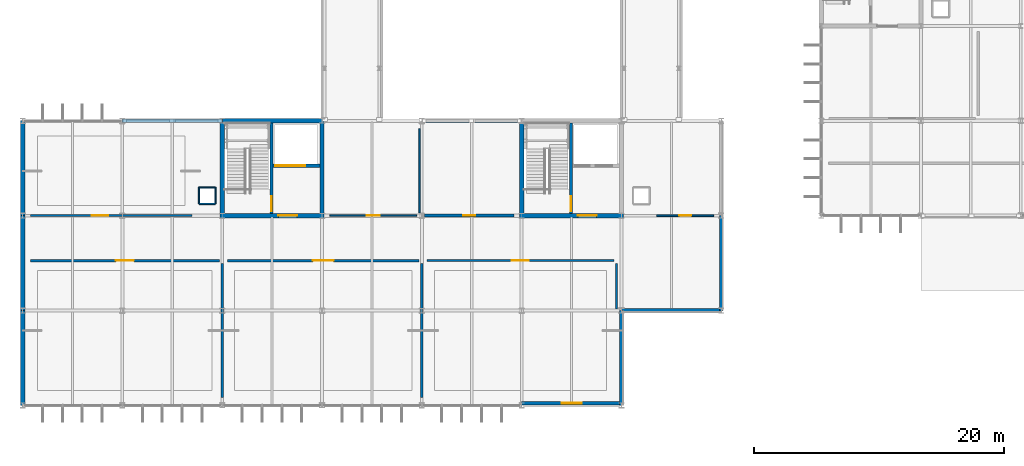
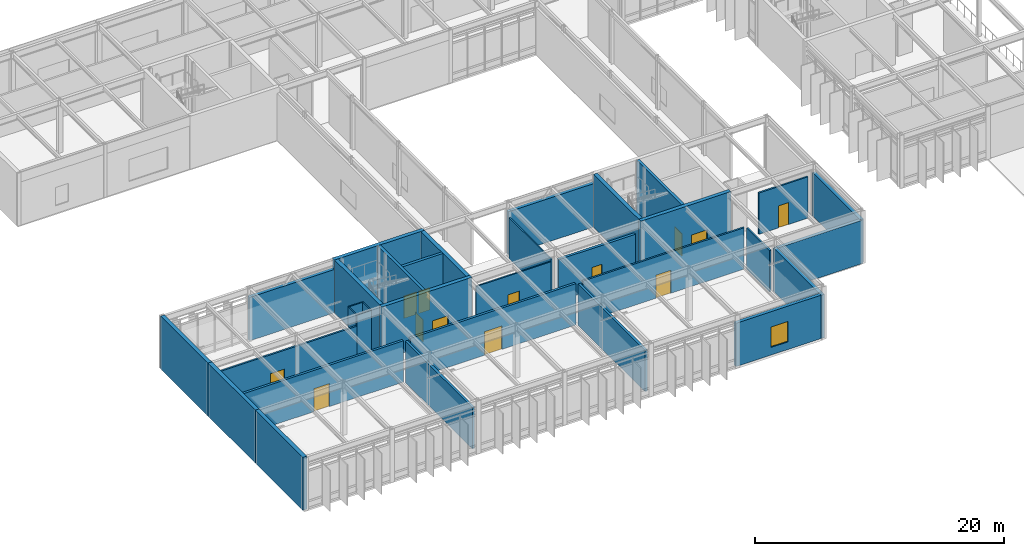
# One storey, part 70 of 94: 33 walls, 13 doors, 1 window, 14 openings.
"""IFC4 building model written with IfcOpenShell, lengths in metres."""

import ifcopenshell
import ifcopenshell.guid

model = None  # the IFC model being written
_history = None  # IfcOwnerHistory: only IFC2X3 demands one
_inside = {}  # id of a spatial element -> (the spatial element, [elements in it])
_under = {}  # id of a project, library or spatial element -> (it, [spatial elements below it])
_declared = {}  # id of a project -> (the project, [libraries it declares])
_typed = {}  # id of a type object -> (the type object, [elements of that type])
_made_of = {}  # id of a material, layer set ... -> (it, [elements and type objects made of it])


def new_model(schema):
    """Start an empty IFC model of exactly this schema.

    Asked for "IFC4X3", IfcOpenShell would pick the latest addendum, in which some entities
    have other attributes; the version numbers below select the first issue.
    IFC2X3 requires an IfcOwnerHistory on every rooted entity: one is made here for all.
    """
    global model, _history
    if schema == "IFC4X3":
        model = ifcopenshell.file(schema_version=(4, 3, 0, 0))
    else:
        model = ifcopenshell.file(schema=schema)
    _inside.clear()
    _under.clear()
    _declared.clear()
    _typed.clear()
    _made_of.clear()
    _history = None
    if model.schema == "IFC2X3":
        org = make("IfcOrganization", Name="unknown")
        user = make(
            "IfcPersonAndOrganization",
            ThePerson=make("IfcPerson", FamilyName="unknown"),
            TheOrganization=org,
        )
        app = make(
            "IfcApplication",
            ApplicationDeveloper=org,
            Version="unknown",
            ApplicationFullName="unknown",
            ApplicationIdentifier="unknown",
        )
        _history = make(
            "IfcOwnerHistory",
            OwningUser=user,
            OwningApplication=app,
            ChangeAction="ADDED",
            CreationDate=0,
        )
    return model


def make(cls, **values):
    """One entity of the class cls with the attributes given. An attribute that is None is left unset."""
    return model.create_entity(
        cls, **{name: value for name, value in values.items() if value is not None}
    )


def rooted(cls, **values):
    """An entity with a GlobalId (a new one), such as an element, a storey or a relation."""
    return make(cls, GlobalId=ifcopenshell.guid.new(), OwnerHistory=_history, **values)


def si_unit(unit_type, name, prefix=None):
    """IfcSIUnit, for example si_unit("LENGTHUNIT", "METRE", prefix="MILLI")."""
    return make("IfcSIUnit", UnitType=unit_type, Prefix=prefix, Name=name)


def assignment(units):
    """IfcUnitAssignment: the units of a project."""
    return None if units is None else make("IfcUnitAssignment", Units=units)


def point(xyz):
    """IfcCartesianPoint."""
    return None if xyz is None else make("IfcCartesianPoint", Coordinates=xyz)


def direction(xyz):
    """IfcDirection."""
    return None if xyz is None else make("IfcDirection", DirectionRatios=xyz)


def frame(location, z_axis=None, x_axis=None):
    """IfcAxis2Placement3D, a coordinate frame: its origin and axes. An axis left out is left unset."""
    return make(
        "IfcAxis2Placement3D",
        Location=point(location),
        Axis=direction(z_axis),
        RefDirection=direction(x_axis),
    )


def frame_2d(location, x_axis=None):
    """IfcAxis2Placement2D, a coordinate frame in the plane: its origin and x axis."""
    return make(
        "IfcAxis2Placement2D", Location=point(location), RefDirection=direction(x_axis)
    )


def origin():
    """The frame at (0, 0, 0) with its axes left unset."""
    return frame((0.0, 0.0, 0.0))


def place(relative_to, where):
    """IfcLocalPlacement: puts the frame where relative to a parent placement (None: the world)."""
    return make(
        "IfcLocalPlacement", PlacementRelTo=relative_to, RelativePlacement=where
    )


def context(
    kind, dimensions, precision=None, world=None, true_north=None, identifier=None
):
    """IfcGeometricRepresentationContext, for example the 3D "Model" context."""
    return make(
        "IfcGeometricRepresentationContext",
        ContextIdentifier=identifier,
        ContextType=kind,
        CoordinateSpaceDimension=dimensions,
        Precision=precision,
        WorldCoordinateSystem=world,
        TrueNorth=true_north,
    )


def subcontext(parent, identifier, kind, view, scale=None):
    """IfcGeometricRepresentationSubContext, for example "Body" below "Model"."""
    return make(
        "IfcGeometricRepresentationSubContext",
        ContextIdentifier=identifier,
        ContextType=kind,
        ParentContext=parent,
        TargetScale=scale,
        TargetView=view,
    )


def project(units=None, contexts=None):
    """IfcProject with its units and contexts."""
    return rooted(
        "IfcProject",
        Name="project",
        RepresentationContexts=contexts,
        UnitsInContext=assignment(units),
    )


def spatial(cls, under=None, at=None, **own):
    """A site, building, storey or space (cls), placed at a placement, below another one or the project."""
    s = rooted(cls, ObjectPlacement=at, **own)
    if under is not None:
        _under.setdefault(under.id(), (under, []))[1].append(s)
    return s


def profile(cls, at=None, kind="AREA", **sizes):
    """A parametric profile (cls). Its sizes go by their IFC names, for example OverallWidth=200.0."""
    return make(cls, ProfileType=kind, Position=at, **sizes)


def rectangle(**sizes):
    """IfcRectangleProfileDef."""
    return profile("IfcRectangleProfileDef", **sizes)


def extrude(swept, where, along, depth):
    """IfcExtrudedAreaSolid: the profile swept, set in the frame where, extruded along a direction by depth."""
    return make(
        "IfcExtrudedAreaSolid",
        SweptArea=swept,
        Position=where,
        ExtrudedDirection=direction(along),
        Depth=depth,
    )


def shape(context_of_items, identifier, shape_type, items):
    """IfcShapeRepresentation: the items that make up one representation, for example the "Body"."""
    return make(
        "IfcShapeRepresentation",
        ContextOfItems=context_of_items,
        RepresentationIdentifier=identifier,
        RepresentationType=shape_type,
        Items=items,
    )


def material(Name=None, Category=None):
    """IfcMaterial."""
    return make("IfcMaterial", Name=Name, Category=Category)


def layer(
    of_material, thickness, ventilated=None, Name=None, Category=None, Priority=None
):
    """IfcMaterialLayer: one layer of a wall or slab, of a material (None: an air gap)."""
    return make(
        "IfcMaterialLayer",
        Material=of_material,
        LayerThickness=thickness,
        IsVentilated=ventilated,
        Name=Name,
        Category=Category,
        Priority=Priority,
    )


def layer_set(layers, Name=None):
    """IfcMaterialLayerSet."""
    return make("IfcMaterialLayerSet", MaterialLayers=layers, LayerSetName=Name)


def made_of(thing, what):
    """Note that an element or type object is made of a material, layer set ...; save() writes the relation."""
    if what is not None:
        _made_of.setdefault(what.id(), (what, []))[1].append(thing)
    return thing


def type_object(cls, material=None, **own):
    """A type object (cls), such as IfcWallType, which elements share."""
    return made_of(rooted(cls, **own), material)


def element(
    cls,
    number,
    at=None,
    inside=None,
    cuts=None,
    type_object=None,
    material=None,
    context=None,
    identifier="Body",
    shape_type=None,
    held_by="IfcProductDefinitionShape",
    body=None,
    shapes=None,
    **own,
):
    """One element of the class cls, such as IfcWall. Its Tag is "e" and its number.

    at: its placement. inside: the storey or other place that contains it. cuts: it is an
    opening in that element (IfcRelVoidsElement). A single representation is given by context,
    identifier, shape_type and body (its items); several are given by shapes. held_by: the class
    of the entity that holds the representations. save() writes the other relations.
    """
    e = rooted(cls, Tag="e%d" % number, ObjectPlacement=at, **own)
    if body is not None:
        shapes = [shape(context, identifier, shape_type, body)]
    if shapes is not None:
        e.Representation = make(held_by, Representations=shapes)
    if inside is not None:
        _inside.setdefault(inside.id(), (inside, []))[1].append(e)
    if cuts is not None:
        rooted(
            "IfcRelVoidsElement", RelatingBuildingElement=cuts, RelatedOpeningElement=e
        )
    if type_object is not None:
        _typed.setdefault(type_object.id(), (type_object, []))[1].append(e)
    return made_of(e, material)


def fill(opening, filler):
    """IfcRelFillsElement: the door or window that sits in an opening."""
    return rooted(
        "IfcRelFillsElement",
        RelatingOpeningElement=opening,
        RelatedBuildingElement=filler,
    )


def aggregate(whole, parts):
    """IfcRelAggregates: a whole, such as a stair, and the parts it consists of."""
    return rooted("IfcRelAggregates", RelatingObject=whole, RelatedObjects=parts)


def save(model, path):
    """Write the relations noted so far, then the file.

    IfcRelAggregates (storeys below a building ...), IfcRelContainedInSpatialStructure (elements
    in a storey), IfcRelDefinesByType, IfcRelAssociatesMaterial and IfcRelDeclares: one each for
    every whole, place, type object, material and project.
    """
    for whole, parts in _under.values():
        aggregate(whole, parts)
    for where, things in _inside.values():
        rooted(
            "IfcRelContainedInSpatialStructure",
            RelatedElements=things,
            RelatingStructure=where,
        )
    for kind, things in _typed.values():
        rooted("IfcRelDefinesByType", RelatedObjects=things, RelatingType=kind)
    for what, things in _made_of.values():
        rooted("IfcRelAssociatesMaterial", RelatedObjects=things, RelatingMaterial=what)
    for by, libraries in _declared.values():
        rooted("IfcRelDeclares", RelatingContext=by, RelatedDefinitions=libraries)
    model.write(path)


model = new_model("IFC4")

# Units and contexts
model_context = context("Model", 3, precision=1e-05, world=origin(), true_north=direction((0.0, 1.0)))
body_context = subcontext(model_context, "Body", "Model", "MODEL_VIEW")
ifc_project = project(units=[si_unit("LENGTHUNIT", "METRE"), si_unit("AREAUNIT", "SQUARE_METRE"), si_unit("VOLUMEUNIT", "CUBIC_METRE"), si_unit("PLANEANGLEUNIT", "RADIAN"), si_unit("MASSUNIT", "GRAM", prefix="KILO")], contexts=[model_context])

# Site, building, storey
site_placement = place(None, origin())
site = spatial("IfcSite", under=ifc_project, at=site_placement, CompositionType="ELEMENT")
building_placement = place(site_placement, origin())
building = spatial("IfcBuilding", under=site, at=building_placement, Name="Zulena Civic Courthouse", CompositionType="ELEMENT")
storey_placement = place(building_placement, frame((0.0, 0.0, 5.39990234375)))
storey = spatial("IfcBuildingStorey", under=building, at=storey_placement, Name="L01", CompositionType="ELEMENT", Elevation=5.39990234375)

# Wall, opening, door
ifc_material_1 = material(Name="Concrete C40/50", Category="concrete")
ifc_layer_1 = layer(ifc_material_1, 0.25)
ifc_layer_set_1 = layer_set([ifc_layer_1], Name="Concrete C40/50")
wall_type_1 = type_object("IfcWallType", Name="CoreShearWall_RC250", PredefinedType="SHEAR", material=ifc_layer_set_1)
wall_1_placement = place(storey_placement, frame((23.949951171875, 15.375, 0.0), z_axis=(0.0, 0.0, 1.0), x_axis=(0.0, 1.0, 0.0)))
wall_1 = element("IfcWall", 1, at=wall_1_placement, inside=storey, type_object=wall_type_1, Name="cwall:K2A:L01:DIV", PredefinedType="SHEAR", context=body_context, shape_type="SweptSolid", body=[
    extrude(rectangle(XDim=7.25, YDim=0.25, at=frame_2d((3.625, 0.0))), origin(), (0.0, 0.0, 1.0), 5.190185546875),
])
opening_1_placement = place(wall_1_placement, frame((0.179931640625, 0.0, 0.0)))
opening_1 = element("IfcOpeningElement", 2, at=opening_1_placement, cuts=wall_1, Name="Opening ID07", PredefinedType="OPENING", context=body_context, shape_type="SweptSolid", body=[
    extrude(rectangle(XDim=1.199951171875, YDim=2.199951171875, at=frame_2d((0.60009765625, 1.10009765625))), frame((0.0, 0.135009765625, 0.0), z_axis=(0.0, -1.0, 0.0), x_axis=(1.0, 0.0, 0.0)), (0.0, 0.0, 1.0), 0.27001953125),
])
ifc_material_2 = material(Name="Fire-rated galvanised steel ASTM A653 Grade 50", Category="steel")
door_type_1 = type_object("IfcDoorType", Name="IntDoor_Stair_1200x2200", OperationType="NOTDEFINED", PredefinedType="DOOR", material=ifc_material_2)
door_1_placement = place(opening_1_placement, origin())
door_1 = element("IfcDoor", 3, at=door_1_placement, inside=storey, type_object=door_type_1, Name="door:stair:K2A:L01", OperationType="SINGLE_SWING_RIGHT", OverallHeight=2.199951171875, OverallWidth=1.199951171875, PredefinedType="DOOR", context=body_context, shape_type="SweptSolid", body=[
    extrude(rectangle(XDim=1.199951171875, YDim=2.199951171875, at=frame_2d((0.60009765625, 1.10009765625))), frame((0.0, 0.02490234375, 0.0), z_axis=(0.0, -1.0, 0.0), x_axis=(1.0, 0.0, 0.0)), (0.0, 0.0, 1.0), 0.050048828125),
])
fill(opening_1, door_1)

# Wall, openings, doors
wall_2_placement = place(storey_placement, frame((24.074951171875, 19.199951171875, 0.0), z_axis=(0.0, 0.0, 1.0), x_axis=(1.0, 0.0, 0.0)))
wall_2 = element("IfcWall", 4, at=wall_2_placement, inside=storey, type_object=wall_type_1, Name="cwall:K2A:L01:SHF", PredefinedType="SHEAR", context=body_context, shape_type="SweptSolid", body=[
    extrude(rectangle(XDim=3.75, YDim=0.25, at=frame_2d((1.875, 0.0))), origin(), (0.0, 0.0, 1.0), 5.190185546875),
])
opening_2_placement = place(wall_2_placement, frame((0.179931640625, 0.0, 0.0)))
opening_2 = element("IfcOpeningElement", 5, at=opening_2_placement, cuts=wall_2, Name="Opening LD01", PredefinedType="OPENING", context=body_context, shape_type="SweptSolid", body=[
    extrude(rectangle(XDim=1.199951171875, YDim=2.199951171875, at=frame_2d((0.60009765625, 1.10009765625))), frame((0.0, 0.135009765625, 0.0), z_axis=(0.0, -1.0, 0.0), x_axis=(1.0, 0.0, 0.0)), (0.0, 0.0, 1.0), 0.27001953125),
])
opening_3_placement = place(wall_2_placement, frame((1.550048828125, 0.0, 0.0)))
opening_3 = element("IfcOpeningElement", 6, at=opening_3_placement, cuts=wall_2, Name="Opening LD03", PredefinedType="OPENING", context=body_context, shape_type="SweptSolid", body=[
    extrude(rectangle(XDim=1.050048828125, YDim=2.199951171875, at=frame_2d((0.52490234375, 1.10009765625))), frame((0.0, 0.135009765625, 0.0), z_axis=(0.0, -1.0, 0.0), x_axis=(1.0, 0.0, 0.0)), (0.0, 0.0, 1.0), 0.27001953125),
])
door_type_2 = type_object("IfcDoorType", Name="LiftLandingDoor_FF_1200x2200", OperationType="SLIDING_TO_LEFT", PredefinedType="DOOR", material=ifc_material_2)
door_2_placement = place(opening_2_placement, origin())
door_2 = element("IfcDoor", 7, at=door_2_placement, inside=storey, type_object=door_type_2, Name="door:ld:FL-01:L01", OperationType="SLIDING_TO_LEFT", OverallHeight=2.199951171875, OverallWidth=1.199951171875, PredefinedType="DOOR", context=body_context, shape_type="SweptSolid", body=[
    extrude(rectangle(XDim=1.199951171875, YDim=2.199951171875, at=frame_2d((0.60009765625, 1.10009765625))), frame((0.0, 0.02490234375, 0.0), z_axis=(0.0, -1.0, 0.0), x_axis=(1.0, 0.0, 0.0)), (0.0, 0.0, 1.0), 0.050048828125),
])
fill(opening_2, door_2)
door_type_3 = type_object("IfcDoorType", Name="LiftLandingDoor_Jud_1050x2200", OperationType="SLIDING_TO_RIGHT", PredefinedType="DOOR", material=ifc_material_2)
door_3_placement = place(opening_3_placement, origin())
door_3 = element("IfcDoor", 8, at=door_3_placement, inside=storey, type_object=door_type_3, Name="door:ld:JL-01:L01", OperationType="SLIDING_TO_RIGHT", OverallHeight=2.199951171875, OverallWidth=1.050048828125, PredefinedType="DOOR", context=body_context, shape_type="SweptSolid", body=[
    extrude(rectangle(XDim=1.050048828125, YDim=2.199951171875, at=frame_2d((0.52490234375, 1.10009765625))), frame((0.0, 0.02490234375, 0.0), z_axis=(0.0, -1.0, 0.0), x_axis=(1.0, 0.0, 0.0)), (0.0, 0.0, 1.0), 0.050048828125),
])
fill(opening_3, door_3)

# Wall, opening, door
wall_3_placement = place(storey_placement, frame((47.949951171875, 15.375, 0.0), z_axis=(0.0, 0.0, 1.0), x_axis=(0.0, 1.0, 0.0)))
wall_3 = element("IfcWall", 9, at=wall_3_placement, inside=storey, type_object=wall_type_1, Name="cwall:K2B:L01:DIV", PredefinedType="SHEAR", context=body_context, shape_type="SweptSolid", body=[
    extrude(rectangle(XDim=7.25, YDim=0.25, at=frame_2d((3.625, 0.0))), origin(), (0.0, 0.0, 1.0), 5.190185546875),
])
opening_4_placement = place(wall_3_placement, frame((0.179931640625, 0.0, 0.0)))
opening_4 = element("IfcOpeningElement", 10, at=opening_4_placement, cuts=wall_3, Name="Opening ID07", PredefinedType="OPENING", context=body_context, shape_type="SweptSolid", body=[
    extrude(rectangle(XDim=1.199951171875, YDim=2.199951171875, at=frame_2d((0.60009765625, 1.10009765625))), frame((0.0, 0.135009765625, 0.0), z_axis=(0.0, -1.0, 0.0), x_axis=(1.0, 0.0, 0.0)), (0.0, 0.0, 1.0), 0.27001953125),
])
door_4_placement = place(opening_4_placement, origin())
door_4 = element("IfcDoor", 11, at=door_4_placement, inside=storey, type_object=door_type_1, Name="door:stair:K2B:L01", OperationType="SINGLE_SWING_RIGHT", OverallHeight=2.199951171875, OverallWidth=1.199951171875, PredefinedType="DOOR", context=body_context, shape_type="SweptSolid", body=[
    extrude(rectangle(XDim=1.199951171875, YDim=2.199951171875, at=frame_2d((0.60009765625, 1.10009765625))), frame((0.0, 0.02490234375, 0.0), z_axis=(0.0, -1.0, 0.0), x_axis=(1.0, 0.0, 0.0)), (0.0, 0.0, 1.0), 0.050048828125),
])
fill(opening_4, door_4)

ifc_layer_2 = layer(ifc_material_1, 0.35009765625)
ifc_layer_set_2 = layer_set([ifc_layer_2], Name="Concrete C40/50")
wall_type_2 = type_object("IfcWallType", Name="CoreShearWall_RC350", PredefinedType="SHEAR", material=ifc_layer_set_2)
wall_4_placement = place(storey_placement, frame((19.824951171875, 15.199951171875, 0.0), z_axis=(0.0, 0.0, 1.0), x_axis=(1.0, 0.0, 0.0)))
wall_4 = element("IfcWall", 12, at=wall_4_placement, inside=storey, type_object=wall_type_2, Name="cwall:K2A:L01:S", PredefinedType="SHEAR", context=body_context, shape_type="SweptSolid", body=[
    extrude(rectangle(XDim=8.35009765625, YDim=0.35009765625, at=frame_2d((4.175048828125, 0.0))), origin(), (0.0, 0.0, 1.0), 5.190185546875),
])
opening_5_placement = place(wall_4_placement, frame((4.68505859375, 0.0, 0.0)))
opening_5 = element("IfcOpeningElement", 13, at=opening_5_placement, cuts=wall_4, Name="Opening ID05", PredefinedType="OPENING", context=body_context, shape_type="SweptSolid", body=[
    extrude(rectangle(XDim=1.5, YDim=2.199951171875, at=frame_2d((0.75, 1.10009765625))), frame((0.0, 0.18505859375, 0.0), z_axis=(0.0, -1.0, 0.0), x_axis=(1.0, 0.0, 0.0)), (0.0, 0.0, 1.0), 0.3701171875),
])
door_type_4 = type_object("IfcDoorType", Name="IntDoor_FFLobby_1500x2200", OperationType="DOUBLE_DOOR_SINGLE_SWING", PredefinedType="DOOR", material=ifc_material_2)
door_5_placement = place(opening_5_placement, origin())
door_5 = element("IfcDoor", 14, at=door_5_placement, inside=storey, type_object=door_type_4, Name="door:corelob:K2A:L01", OperationType="DOUBLE_DOOR_SINGLE_SWING", OverallHeight=2.199951171875, OverallWidth=1.5, PredefinedType="DOOR", context=body_context, shape_type="SweptSolid", body=[
    extrude(rectangle(XDim=1.5, YDim=2.199951171875, at=frame_2d((0.75, 1.10009765625))), frame((0.0, 0.02490234375, 0.0), z_axis=(0.0, -1.0, 0.0), x_axis=(1.0, 0.0, 0.0)), (0.0, 0.0, 1.0), 0.050048828125),
])
fill(opening_5, door_5)

# Walls
wall_5_placement = place(storey_placement, frame((19.824951171875, 22.800048828125, 0.0), z_axis=(0.0, 0.0, 1.0), x_axis=(1.0, 0.0, 0.0)))
element("IfcWall", 15, at=wall_5_placement, inside=storey, type_object=wall_type_2, Name="cwall:K2A:L01:N", PredefinedType="SHEAR", context=body_context, shape_type="SweptSolid", body=[
    extrude(rectangle(XDim=8.35009765625, YDim=0.35009765625, at=frame_2d((4.175048828125, 0.0))), origin(), (0.0, 0.0, 1.0), 5.190185546875),
])
for number, where, z_axis, x_axis, name in (
    (16, (20.0, 15.375, 0.0), (0.0, 0.0, 1.0), (0.0, 1.0, 0.0), "cwall:K2A:L01:W"),
    (17, (28.0, 15.375, 0.0), (0.0, 0.0, 1.0), (0.0, 1.0, 0.0), "cwall:K2A:L01:E"),
):
    element("IfcWall", number, at=place(storey_placement, frame(where, z_axis=z_axis, x_axis=x_axis)), inside=storey, type_object=wall_type_2, Name=name, PredefinedType="SHEAR", context=body_context, shape_type="SweptSolid", body=[
        extrude(rectangle(XDim=7.25, YDim=0.35009765625, at=frame_2d((3.625, 0.0))), origin(), (0.0, 0.0, 1.0), 5.190185546875),
    ])

# Wall, opening, door
wall_6_placement = place(storey_placement, frame((43.824951171875, 15.199951171875, 0.0), z_axis=(0.0, 0.0, 1.0), x_axis=(1.0, 0.0, 0.0)))
wall_6 = element("IfcWall", 18, at=wall_6_placement, inside=storey, type_object=wall_type_2, Name="cwall:K2B:L01:S", PredefinedType="SHEAR", context=body_context, shape_type="SweptSolid", body=[
    extrude(rectangle(XDim=8.35009765625, YDim=0.35009765625, at=frame_2d((4.175048828125, 0.0))), origin(), (0.0, 0.0, 1.0), 5.190185546875),
])
opening_6_placement = place(wall_6_placement, frame((4.68505859375, 0.0, 0.0)))
opening_6 = element("IfcOpeningElement", 19, at=opening_6_placement, cuts=wall_6, Name="Opening ID05", PredefinedType="OPENING", context=body_context, shape_type="SweptSolid", body=[
    extrude(rectangle(XDim=1.5, YDim=2.199951171875, at=frame_2d((0.75, 1.10009765625))), frame((0.0, 0.18505859375, 0.0), z_axis=(0.0, -1.0, 0.0), x_axis=(1.0, 0.0, 0.0)), (0.0, 0.0, 1.0), 0.3701171875),
])
door_6_placement = place(opening_6_placement, origin())
door_6 = element("IfcDoor", 20, at=door_6_placement, inside=storey, type_object=door_type_4, Name="door:corelob:K2B:L01", OperationType="DOUBLE_DOOR_SINGLE_SWING", OverallHeight=2.199951171875, OverallWidth=1.5, PredefinedType="DOOR", context=body_context, shape_type="SweptSolid", body=[
    extrude(rectangle(XDim=1.5, YDim=2.199951171875, at=frame_2d((0.75, 1.10009765625))), frame((0.0, 0.02490234375, 0.0), z_axis=(0.0, -1.0, 0.0), x_axis=(1.0, 0.0, 0.0)), (0.0, 0.0, 1.0), 0.050048828125),
])
fill(opening_6, door_6)

# Walls
wall_7_placement = place(storey_placement, frame((44.0, 15.375, 0.0), z_axis=(0.0, 0.0, 1.0), x_axis=(0.0, 1.0, 0.0)))
element("IfcWall", 21, at=wall_7_placement, inside=storey, type_object=wall_type_2, Name="cwall:K2B:L01:W", PredefinedType="SHEAR", context=body_context, shape_type="SweptSolid", body=[
    extrude(rectangle(XDim=7.25, YDim=0.35009765625, at=frame_2d((3.625, 0.0))), origin(), (0.0, 0.0, 1.0), 5.190185546875),
])
ifc_layer_3 = layer(ifc_material_1, 0.360107421875)
ifc_layer_set_3 = layer_set([ifc_layer_3], Name="Concrete C40/50")
wall_type_3 = type_object("IfcWallType", Name="ExtWall_PartyWall_360", PredefinedType="STANDARD", material=ifc_layer_set_3)
wall_8_placement = place(storey_placement, frame((4.0, -0.02001953125, 0.0), z_axis=(0.0, 0.0, 1.0), x_axis=(0.0, 1.0, 0.0)))
element("IfcWall", 22, at=wall_8_placement, inside=storey, type_object=wall_type_3, Name="ewall:V2:L01:0:0", PredefinedType="STANDARD", context=body_context, shape_type="SweptSolid", body=[
    extrude(rectangle(XDim=7.64013671875, YDim=0.360107421875, at=frame_2d((3.820068359375, 0.0))), origin(), (0.0, 0.0, 1.0), 5.190185546875),
])
wall_9_placement = place(storey_placement, frame((4.0, 7.580078125, 0.0), z_axis=(0.0, 0.0, 1.0), x_axis=(0.0, 1.0, 0.0)))
element("IfcWall", 23, at=wall_9_placement, inside=storey, type_object=wall_type_3, Name="ewall:V2:L01:0:1", PredefinedType="STANDARD", context=body_context, shape_type="SweptSolid", body=[
    extrude(rectangle(XDim=7.639892578125, YDim=0.360107421875, at=frame_2d((3.81982421875, 0.0))), origin(), (0.0, 0.0, 1.0), 5.190185546875),
])
wall_10_placement = place(storey_placement, frame((4.0, 15.179931640625, 0.0), z_axis=(0.0, 0.0, 1.0), x_axis=(0.0, 1.0, 0.0)))
element("IfcWall", 24, at=wall_10_placement, inside=storey, type_object=wall_type_3, Name="ewall:V2:L01:0:2", PredefinedType="STANDARD", context=body_context, shape_type="SweptSolid", body=[
    extrude(rectangle(XDim=7.64013671875, YDim=0.360107421875, at=frame_2d((3.820068359375, 0.0))), origin(), (0.0, 0.0, 1.0), 5.190185546875),
])
ifc_material_3 = material(Name="White architectural precast concrete C40/50", Category="concrete")
ifc_layer_4 = layer(ifc_material_3, 0.300048828125)
ifc_layer_set_4 = layer_set([ifc_layer_4], Name="White architectural precast concrete C40/50")
wall_type_4 = type_object("IfcWallType", Name="ExtWall_WhitePrecast_300", PredefinedType="STANDARD", material=ifc_layer_set_4)
for number, where, z_axis, x_axis, name in (
    (25, (11.97998046875, 22.800048828125, 0.0), (0.0, 0.0, 1.0), (1.0, 0.0, 0.0), "ewall:V2:L01:1:1"),
    (26, (35.97998046875, 22.800048828125, 0.0), (0.0, 0.0, 1.0), (1.0, 0.0, 0.0), "ewall:V2:L01:1:4"),
):
    element("IfcWall", number, at=place(storey_placement, frame(where, z_axis=z_axis, x_axis=x_axis)), inside=storey, type_object=wall_type_4, Name=name, PredefinedType="STANDARD", context=body_context, shape_type="SweptSolid", body=[
        extrude(rectangle(XDim=8.0400390625, YDim=0.300048828125, at=frame_2d((4.02001953125, 0.0))), origin(), (0.0, 0.0, 1.0), 4.25),
    ])
wall_11_placement = place(storey_placement, frame((60.0, 15.219970703125, 0.0), z_axis=(0.0, 0.0, 1.0), x_axis=(0.0, -1.0, 0.0)))
element("IfcWall", 27, at=wall_11_placement, inside=storey, type_object=wall_type_4, Name="ewall:V2:L01:2:1", PredefinedType="STANDARD", context=body_context, shape_type="SweptSolid", body=[
    extrude(rectangle(XDim=7.639892578125, YDim=0.300048828125, at=frame_2d((3.81982421875, 0.0))), origin(), (0.0, 0.0, 1.0), 4.25),
])
wall_12_placement = place(storey_placement, frame((60.02001953125, 7.60009765625, 0.0), z_axis=(0.0, 0.0, 1.0), x_axis=(-1.0, 0.0, 0.0)))
element("IfcWall", 28, at=wall_12_placement, inside=storey, type_object=wall_type_4, Name="ewall:V2:L01:3:0", PredefinedType="STANDARD", context=body_context, shape_type="SweptSolid", body=[
    extrude(rectangle(XDim=8.0400390625, YDim=0.300048828125, at=frame_2d((4.02001953125, 0.0))), origin(), (0.0, 0.0, 1.0), 4.25),
])
wall_13_placement = place(storey_placement, frame((52.0, 7.6201171875, 0.0), z_axis=(0.0, 0.0, 1.0), x_axis=(0.0, -1.0, 0.0)))
element("IfcWall", 29, at=wall_13_placement, inside=storey, type_object=wall_type_4, Name="ewall:V2:L01:4:0", PredefinedType="STANDARD", context=body_context, shape_type="SweptSolid", body=[
    extrude(rectangle(XDim=7.64013671875, YDim=0.300048828125, at=frame_2d((3.820068359375, 0.0))), origin(), (0.0, 0.0, 1.0), 4.25),
])

# Wall, opening, window
wall_14_placement = place(storey_placement, frame((52.02001953125, 0.159912109375, 0.0), z_axis=(0.0, 0.0, 1.0), x_axis=(-1.0, 0.0, 0.0)))
wall_14 = element("IfcWall", 30, at=wall_14_placement, inside=storey, type_object=wall_type_4, Name="ewall:V2:L01:5:0", PredefinedType="STANDARD", context=body_context, shape_type="SweptSolid", body=[
    extrude(rectangle(XDim=8.0400390625, YDim=0.300048828125, at=frame_2d((4.02001953125, 0.0))), origin(), (0.0, 0.0, 1.0), 4.25),
])
opening_7_placement = place(wall_14_placement, frame((3.219970703125, 0.0, 0.75)))
opening_7 = element("IfcOpeningElement", 31, at=opening_7_placement, cuts=wall_14, Name="Opening WN02", PredefinedType="OPENING", context=body_context, shape_type="SweptSolid", body=[
    extrude(rectangle(XDim=1.60009765625, YDim=2.0, at=frame_2d((0.800048828125, 1.0))), frame((0.0, 0.159912109375, 0.0), z_axis=(0.0, -1.0, 0.0), x_axis=(1.0, 0.0, 0.0)), (0.0, 0.0, 1.0), 0.320068359375),
])
ifc_material_4 = material(Name="Double-silver low-E laminated solar-control glass", Category="glass")
window_type = type_object("IfcWindowType", Name="Win_1600x2000", PartitioningType="SINGLE_PANEL", PredefinedType="WINDOW", material=ifc_material_4)
window_placement = place(opening_7_placement, origin())
window = element("IfcWindow", 32, at=window_placement, inside=storey, type_object=window_type, Name="win:V2:L01:5:0", OverallHeight=2.0, OverallWidth=1.60009765625, PartitioningType="SINGLE_PANEL", PredefinedType="WINDOW", context=body_context, shape_type="SweptSolid", body=[
    extrude(rectangle(XDim=1.60009765625, YDim=2.0, at=frame_2d((0.800048828125, 1.0))), frame((0.0, 0.030029296875, 0.0), z_axis=(0.0, -1.0, 0.0), x_axis=(1.0, 0.0, 0.0)), (0.0, 0.0, 1.0), 0.06005859375),
])
fill(opening_7, window)

# Wall, opening, door
ifc_material_5 = material(Name="Acoustic fire-rated gypsum board assembly", Category="masonry")
ifc_layer_5 = layer(ifc_material_5, 0.14599609375)
ifc_layer_set_5 = layer_set([ifc_layer_5], Name="Acoustic fire-rated gypsum board assembly")
wall_type_5 = type_object("IfcWallType", Name="PartWall_Chambers_146", PredefinedType="PARTITIONING", material=ifc_layer_set_5)
wall_15_placement = place(storey_placement, frame((54.820068359375, 15.199951171875, 0.0), z_axis=(0.0, 0.0, 1.0), x_axis=(1.0, 0.0, 0.0)))
wall_15 = element("IfcWall", 33, at=wall_15_placement, inside=storey, type_object=wall_type_5, Name="pwall:L01:301:0", PredefinedType="PARTITIONING", context=body_context, shape_type="SweptSolid", body=[
    extrude(rectangle(XDim=4.559814453125, YDim=0.14599609375, at=frame_2d((2.27978515625, 0.0))), origin(), (0.0, 0.0, 1.0), 4.050048828125),
])
opening_8_placement = place(wall_15_placement, frame((1.804931640625, 0.0, 0.0)))
opening_8 = element("IfcOpeningElement", 34, at=opening_8_placement, cuts=wall_15, Name="Opening ID23", PredefinedType="OPENING", context=body_context, shape_type="SweptSolid", body=[
    extrude(rectangle(XDim=0.949951171875, YDim=2.14990234375, at=frame_2d((0.47509765625, 1.074951171875))), frame((0.0, 0.0830078125, 0.0), z_axis=(0.0, -1.0, 0.0), x_axis=(1.0, 0.0, 0.0)), (0.0, 0.0, 1.0), 0.166015625),
])
ifc_material_6 = material(Name="Solid-core acoustic hardwood timber", Category="wood")
door_type_5 = type_object("IfcDoorType", Name="IntDoor_Restroom_950x2150", OperationType="NOTDEFINED", PredefinedType="DOOR", material=ifc_material_6)
door_7_placement = place(opening_8_placement, origin())
door_7 = element("IfcDoor", 35, at=door_7_placement, inside=storey, type_object=door_type_5, Name="door:rm:L01:301", OperationType="SINGLE_SWING_RIGHT", OverallHeight=2.14990234375, OverallWidth=0.949951171875, PredefinedType="DOOR", context=body_context, shape_type="SweptSolid", body=[
    extrude(rectangle(XDim=0.949951171875, YDim=2.14990234375, at=frame_2d((0.47509765625, 1.074951171875))), frame((0.0, 0.02490234375, 0.0), z_axis=(0.0, -1.0, 0.0), x_axis=(1.0, 0.0, 0.0)), (0.0, 0.0, 1.0), 0.050048828125),
])
fill(opening_8, door_7)

ifc_layer_6 = layer(ifc_material_5, 0.215087890625)
ifc_layer_set_6 = layer_set([ifc_layer_6], Name="Acoustic fire-rated gypsum board assembly")
wall_type_6 = type_object("IfcWallType", Name="PartWall_CourtAcoustic_215", PredefinedType="PARTITIONING", material=ifc_layer_set_6)
wall_16_placement = place(storey_placement, frame((4.6201171875, 11.60009765625, 0.0), z_axis=(0.0, 0.0, 1.0), x_axis=(1.0, 0.0, 0.0)))
wall_16 = element("IfcWall", 36, at=wall_16_placement, inside=storey, type_object=wall_type_6, Name="pwall:L01:295:0", PredefinedType="PARTITIONING", context=body_context, shape_type="SweptSolid", body=[
    extrude(rectangle(XDim=15.159912109375, YDim=0.215087890625, at=frame_2d((7.580078125, 0.0))), origin(), (0.0, 0.0, 1.0), 4.050048828125),
])
opening_9_placement = place(wall_16_placement, frame((6.85498046875, 0.0, 0.0)))
opening_9 = element("IfcOpeningElement", 37, at=opening_9_placement, cuts=wall_16, Name="Opening ID17", PredefinedType="OPENING", context=body_context, shape_type="SweptSolid", body=[
    extrude(rectangle(XDim=1.449951171875, YDim=2.25, at=frame_2d((0.72509765625, 1.125))), frame((0.0, 0.117431640625, 0.0), z_axis=(0.0, -1.0, 0.0), x_axis=(1.0, 0.0, 0.0)), (0.0, 0.0, 1.0), 0.235107421875),
])
door_type_6 = type_object("IfcDoorType", Name="IntDoor_Registry_1450x2250", OperationType="DOUBLE_DOOR_SINGLE_SWING", PredefinedType="DOOR", material=ifc_material_6)
door_8_placement = place(opening_9_placement, origin())
door_8 = element("IfcDoor", 38, at=door_8_placement, inside=storey, type_object=door_type_6, Name="door:rm:L01:295", OperationType="DOUBLE_DOOR_SINGLE_SWING", OverallHeight=2.25, OverallWidth=1.449951171875, PredefinedType="DOOR", context=body_context, shape_type="SweptSolid", body=[
    extrude(rectangle(XDim=1.449951171875, YDim=2.25, at=frame_2d((0.72509765625, 1.125))), frame((0.0, 0.02490234375, 0.0), z_axis=(0.0, -1.0, 0.0), x_axis=(1.0, 0.0, 0.0)), (0.0, 0.0, 1.0), 0.050048828125),
])
fill(opening_9, door_8)

# Wall
wall_17_placement = place(storey_placement, frame((20.0, 0.6201171875, 0.0), z_axis=(0.0, 0.0, 1.0), x_axis=(0.0, 1.0, 0.0)))
element("IfcWall", 39, at=wall_17_placement, inside=storey, type_object=wall_type_6, Name="pwall:L01:295:1", PredefinedType="PARTITIONING", context=body_context, shape_type="SweptSolid", body=[
    extrude(rectangle(XDim=10.759765625, YDim=0.215087890625, at=frame_2d((5.3798828125, 0.0))), origin(), (0.0, 0.0, 1.0), 4.050048828125),
])

# Wall, opening, door
wall_18_placement = place(storey_placement, frame((20.419921875, 11.60009765625, 0.0), z_axis=(0.0, 0.0, 1.0), x_axis=(1.0, 0.0, 0.0)))
wall_18 = element("IfcWall", 40, at=wall_18_placement, inside=storey, type_object=wall_type_6, Name="pwall:L01:296:0", PredefinedType="PARTITIONING", context=body_context, shape_type="SweptSolid", body=[
    extrude(rectangle(XDim=15.360107421875, YDim=0.215087890625, at=frame_2d((7.68017578125, 0.0))), origin(), (0.0, 0.0, 1.0), 4.050048828125),
])
opening_10_placement = place(wall_18_placement, frame((6.85498046875, 0.0, 0.0)))
opening_10 = element("IfcOpeningElement", 41, at=opening_10_placement, cuts=wall_18, Name="Opening ID18", PredefinedType="OPENING", context=body_context, shape_type="SweptSolid", body=[
    extrude(rectangle(XDim=1.64990234375, YDim=2.300048828125, at=frame_2d((0.824951171875, 1.14990234375))), frame((0.0, 0.117431640625, 0.0), z_axis=(0.0, -1.0, 0.0), x_axis=(1.0, 0.0, 0.0)), (0.0, 0.0, 1.0), 0.235107421875),
])
door_type_7 = type_object("IfcDoorType", Name="IntDoor_Library_1650x2300", OperationType="DOUBLE_DOOR_SINGLE_SWING", PredefinedType="DOOR", material=ifc_material_6)
door_9_placement = place(opening_10_placement, origin())
door_9 = element("IfcDoor", 42, at=door_9_placement, inside=storey, type_object=door_type_7, Name="door:rm:L01:296", OperationType="DOUBLE_DOOR_SINGLE_SWING", OverallHeight=2.300048828125, OverallWidth=1.64990234375, PredefinedType="DOOR", context=body_context, shape_type="SweptSolid", body=[
    extrude(rectangle(XDim=1.64990234375, YDim=2.300048828125, at=frame_2d((0.824951171875, 1.14990234375))), frame((0.0, 0.02490234375, 0.0), z_axis=(0.0, -1.0, 0.0), x_axis=(1.0, 0.0, 0.0)), (0.0, 0.0, 1.0), 0.050048828125),
])
fill(opening_10, door_9)

# Wall
wall_19_placement = place(storey_placement, frame((36.0, 0.6201171875, 0.0), z_axis=(0.0, 0.0, 1.0), x_axis=(0.0, 1.0, 0.0)))
element("IfcWall", 43, at=wall_19_placement, inside=storey, type_object=wall_type_6, Name="pwall:L01:296:1", PredefinedType="PARTITIONING", context=body_context, shape_type="SweptSolid", body=[
    extrude(rectangle(XDim=10.759765625, YDim=0.215087890625, at=frame_2d((5.3798828125, 0.0))), origin(), (0.0, 0.0, 1.0), 4.050048828125),
])

# Wall, opening, door
ifc_material_7 = material(Name="Insulated blockwork masonry ASTM C90", Category="masonry")
ifc_layer_7 = layer(ifc_material_7, 0.239990234375)
ifc_layer_set_7 = layer_set([ifc_layer_7], Name="Insulated blockwork masonry ASTM C90")
wall_type_7 = type_object("IfcWallType", Name="PartWall_Custody_240", PredefinedType="PARTITIONING", material=ifc_layer_set_7)
wall_20_placement = place(storey_placement, frame((36.219970703125, 15.199951171875, 0.0), z_axis=(0.0, 0.0, 1.0), x_axis=(1.0, 0.0, 0.0)))
wall_20 = element("IfcWall", 44, at=wall_20_placement, inside=storey, type_object=wall_type_7, Name="pwall:L01:300:0", PredefinedType="PARTITIONING", context=body_context, shape_type="SweptSolid", body=[
    extrude(rectangle(XDim=7.159912109375, YDim=0.239990234375, at=frame_2d((3.580078125, 0.0))), origin(), (0.0, 0.0, 1.0), 4.050048828125),
])
opening_11_placement = place(wall_20_placement, frame((3.110107421875, 0.0, 0.0)))
opening_11 = element("IfcOpeningElement", 45, at=opening_11_placement, cuts=wall_20, Name="Opening ID22", PredefinedType="OPENING", context=body_context, shape_type="SweptSolid", body=[
    extrude(rectangle(XDim=0.93994140625, YDim=2.199951171875, at=frame_2d((0.469970703125, 1.10009765625))), frame((0.0, 0.1298828125, 0.0), z_axis=(0.0, -1.0, 0.0), x_axis=(1.0, 0.0, 0.0)), (0.0, 0.0, 1.0), 0.260009765625),
])
door_type_8 = type_object("IfcDoorType", Name="IntDoor_Witness_940x2200", OperationType="NOTDEFINED", PredefinedType="DOOR", material=ifc_material_6)
door_10_placement = place(opening_11_placement, origin())
door_10 = element("IfcDoor", 46, at=door_10_placement, inside=storey, type_object=door_type_8, Name="door:rm:L01:300", OperationType="SINGLE_SWING_LEFT", OverallHeight=2.199951171875, OverallWidth=0.93994140625, PredefinedType="DOOR", context=body_context, shape_type="SweptSolid", body=[
    extrude(rectangle(XDim=0.93994140625, YDim=2.199951171875, at=frame_2d((0.469970703125, 1.10009765625))), frame((0.0, 0.02490234375, 0.0), z_axis=(0.0, -1.0, 0.0), x_axis=(1.0, 0.0, 0.0)), (0.0, 0.0, 1.0), 0.050048828125),
])
fill(opening_11, door_10)

ifc_layer_8 = layer(ifc_material_5, 0.162109375)
ifc_layer_set_8 = layer_set([ifc_layer_8], Name="Acoustic fire-rated gypsum board assembly")
wall_type_8 = type_object("IfcWallType", Name="PartWall_Jury_162", PredefinedType="PARTITIONING", material=ifc_layer_set_8)
wall_21_placement = place(storey_placement, frame((36.419921875, 11.60009765625, 0.0), z_axis=(0.0, 0.0, 1.0), x_axis=(1.0, 0.0, 0.0)))
wall_21 = element("IfcWall", 47, at=wall_21_placement, inside=storey, type_object=wall_type_8, Name="pwall:L01:297:0", PredefinedType="PARTITIONING", context=body_context, shape_type="SweptSolid", body=[
    extrude(rectangle(XDim=14.9599609375, YDim=0.162109375, at=frame_2d((7.47998046875, 0.0))), origin(), (0.0, 0.0, 1.0), 4.050048828125),
])
opening_12_placement = place(wall_21_placement, frame((6.804931640625, 0.0, 0.0)))
opening_12 = element("IfcOpeningElement", 48, at=opening_12_placement, cuts=wall_21, Name="Opening ID19", PredefinedType="OPENING", context=body_context, shape_type="SweptSolid", body=[
    extrude(rectangle(XDim=1.35009765625, YDim=2.25, at=frame_2d((0.675048828125, 1.125))), frame((0.0, 0.091064453125, 0.0), z_axis=(0.0, -1.0, 0.0), x_axis=(1.0, 0.0, 0.0)), (0.0, 0.0, 1.0), 0.18212890625),
])
door_type_9 = type_object("IfcDoorType", Name="IntDoor_Library_1350x2250", OperationType="NOTDEFINED", PredefinedType="DOOR", material=ifc_material_6)
door_11_placement = place(opening_12_placement, origin())
door_11 = element("IfcDoor", 49, at=door_11_placement, inside=storey, type_object=door_type_9, Name="door:rm:L01:297", OperationType="SINGLE_SWING_RIGHT", OverallHeight=2.25, OverallWidth=1.35009765625, PredefinedType="DOOR", context=body_context, shape_type="SweptSolid", body=[
    extrude(rectangle(XDim=1.35009765625, YDim=2.25, at=frame_2d((0.675048828125, 1.125))), frame((0.0, 0.02490234375, 0.0), z_axis=(0.0, -1.0, 0.0), x_axis=(1.0, 0.0, 0.0)), (0.0, 0.0, 1.0), 0.050048828125),
])
fill(opening_12, door_11)

# Wall
wall_22_placement = place(storey_placement, frame((51.60009765625, 7.72705078125, 0.0), z_axis=(0.0, 0.0, 1.0), x_axis=(0.0, 1.0, 0.0)))
element("IfcWall", 50, at=wall_22_placement, inside=storey, type_object=wall_type_8, Name="pwall:L01:297:1", PredefinedType="PARTITIONING", context=body_context, shape_type="SweptSolid", body=[
    extrude(rectangle(XDim=3.65283203125, YDim=0.162109375, at=frame_2d((1.826416015625, 0.0))), origin(), (0.0, 0.0, 1.0), 4.050048828125),
])

# Wall, opening, door
wall_23_placement = place(storey_placement, frame((4.6201171875, 15.199951171875, 0.0), z_axis=(0.0, 0.0, 1.0), x_axis=(1.0, 0.0, 0.0)))
wall_23 = element("IfcWall", 51, at=wall_23_placement, inside=storey, type_object=wall_type_8, Name="pwall:L01:298:0", PredefinedType="PARTITIONING", context=body_context, shape_type="SweptSolid", body=[
    extrude(rectangle(XDim=12.9599609375, YDim=0.162109375, at=frame_2d((6.47998046875, 0.0))), origin(), (0.0, 0.0, 1.0), 4.050048828125),
])
opening_13_placement = place(wall_23_placement, frame((4.929931640625, 0.0, 0.0)))
opening_13 = element("IfcOpeningElement", 52, at=opening_13_placement, cuts=wall_23, Name="Opening ID20", PredefinedType="OPENING", context=body_context, shape_type="SweptSolid", body=[
    extrude(rectangle(XDim=1.300048828125, YDim=2.199951171875, at=frame_2d((0.64990234375, 1.10009765625))), frame((0.0, 0.091064453125, 0.0), z_axis=(0.0, -1.0, 0.0), x_axis=(1.0, 0.0, 0.0)), (0.0, 0.0, 1.0), 0.18212890625),
])
door_type_10 = type_object("IfcDoorType", Name="IntDoor_Archive_1300x2200", OperationType="NOTDEFINED", PredefinedType="DOOR", material=ifc_material_2)
door_12_placement = place(opening_13_placement, origin())
door_12 = element("IfcDoor", 53, at=door_12_placement, inside=storey, type_object=door_type_10, Name="door:rm:L01:298", OperationType="SINGLE_SWING_LEFT", OverallHeight=2.199951171875, OverallWidth=1.300048828125, PredefinedType="DOOR", context=body_context, shape_type="SweptSolid", body=[
    extrude(rectangle(XDim=1.300048828125, YDim=2.199951171875, at=frame_2d((0.64990234375, 1.10009765625))), frame((0.0, 0.02490234375, 0.0), z_axis=(0.0, -1.0, 0.0), x_axis=(1.0, 0.0, 0.0)), (0.0, 0.0, 1.0), 0.050048828125),
])
fill(opening_13, door_12)

# Walls
ifc_layer_9 = layer(ifc_material_7, 0.114990234375)
ifc_layer_set_9 = layer_set([ifc_layer_9], Name="Insulated blockwork masonry ASTM C90")
wall_type_9 = type_object("IfcWallType", Name="PartWall_Riser_115", PredefinedType="PARTITIONING", material=ifc_layer_set_9)
for number, where, z_axis, x_axis, name in (
    (54, (18.139892578125, 16.139892578125, 0.0), (0.0, 0.0, 1.0), (1.0, 0.0, 0.0), "riser:RS-V2W:L01:0"),
    (55, (19.4599609375, 16.139892578125, 0.0), (0.0, 0.0, 1.0), (0.0, 1.0, 0.0), "riser:RS-V2W:L01:1"),
    (56, (19.4599609375, 17.4599609375, 0.0), (0.0, 0.0, 1.0), (-1.0, 0.0, 0.0), "riser:RS-V2W:L01:2"),
    (57, (18.139892578125, 17.4599609375, 0.0), (0.0, 0.0, 1.0), (0.0, -1.0, 0.0), "riser:RS-V2W:L01:3"),
):
    element("IfcWall", number, at=place(storey_placement, frame(where, z_axis=z_axis, x_axis=x_axis)), inside=storey, type_object=wall_type_9, Name=name, PredefinedType="PARTITIONING", context=body_context, shape_type="SweptSolid", body=[
        extrude(rectangle(XDim=1.320068359375, YDim=0.114990234375, at=frame_2d((0.66015625, 0.0))), origin(), (0.0, 0.0, 1.0), 4.35009765625),
    ])

# Wall, opening, door
ifc_layer_10 = layer(ifc_material_7, 0.1279296875)
ifc_layer_set_10 = layer_set([ifc_layer_10], Name="Insulated blockwork masonry ASTM C90")
wall_type_10 = type_object("IfcWallType", Name="PartWall_WetRoom_128", PredefinedType="PARTITIONING", material=ifc_layer_set_10)
wall_24_placement = place(storey_placement, frame((28.6201171875, 15.199951171875, 0.0), z_axis=(0.0, 0.0, 1.0), x_axis=(1.0, 0.0, 0.0)))
wall_24 = element("IfcWall", 58, at=wall_24_placement, inside=storey, type_object=wall_type_10, Name="pwall:L01:299:0", PredefinedType="PARTITIONING", context=body_context, shape_type="SweptSolid", body=[
    extrude(rectangle(XDim=6.9599609375, YDim=0.1279296875, at=frame_2d((3.47998046875, 0.0))), origin(), (0.0, 0.0, 1.0), 4.050048828125),
])
opening_14_placement = place(wall_24_placement, frame((2.9599609375, 0.0, 0.0)))
opening_14 = element("IfcOpeningElement", 59, at=opening_14_placement, cuts=wall_24, Name="Opening ID21", PredefinedType="OPENING", context=body_context, shape_type="SweptSolid", body=[
    extrude(rectangle(XDim=1.0400390625, YDim=2.199951171875, at=frame_2d((0.52001953125, 1.10009765625))), frame((0.0, 0.073974609375, 0.0), z_axis=(0.0, -1.0, 0.0), x_axis=(1.0, 0.0, 0.0)), (0.0, 0.0, 1.0), 0.14794921875),
])
door_type_11 = type_object("IfcDoorType", Name="IntDoor_Mediation_1040x2200", OperationType="NOTDEFINED", PredefinedType="DOOR", material=ifc_material_6)
door_13_placement = place(opening_14_placement, origin())
door_13 = element("IfcDoor", 60, at=door_13_placement, inside=storey, type_object=door_type_11, Name="door:rm:L01:299", OperationType="SINGLE_SWING_RIGHT", OverallHeight=2.199951171875, OverallWidth=1.0400390625, PredefinedType="DOOR", context=body_context, shape_type="SweptSolid", body=[
    extrude(rectangle(XDim=1.0400390625, YDim=2.199951171875, at=frame_2d((0.52001953125, 1.10009765625))), frame((0.0, 0.02490234375, 0.0), z_axis=(0.0, -1.0, 0.0), x_axis=(1.0, 0.0, 0.0)), (0.0, 0.0, 1.0), 0.050048828125),
])
fill(opening_14, door_13)

# Wall
wall_25_placement = place(storey_placement, frame((35.800048828125, 15.419921875, 0.0), z_axis=(0.0, 0.0, 1.0), x_axis=(0.0, 1.0, 0.0)))
element("IfcWall", 61, at=wall_25_placement, inside=storey, type_object=wall_type_10, Name="pwall:L01:299:1", PredefinedType="PARTITIONING", context=body_context, shape_type="SweptSolid", body=[
    extrude(rectangle(XDim=6.760009765625, YDim=0.1279296875, at=frame_2d((3.3798828125, 0.0))), origin(), (0.0, 0.0, 1.0), 4.050048828125),
])

save(model, "model.ifc")
